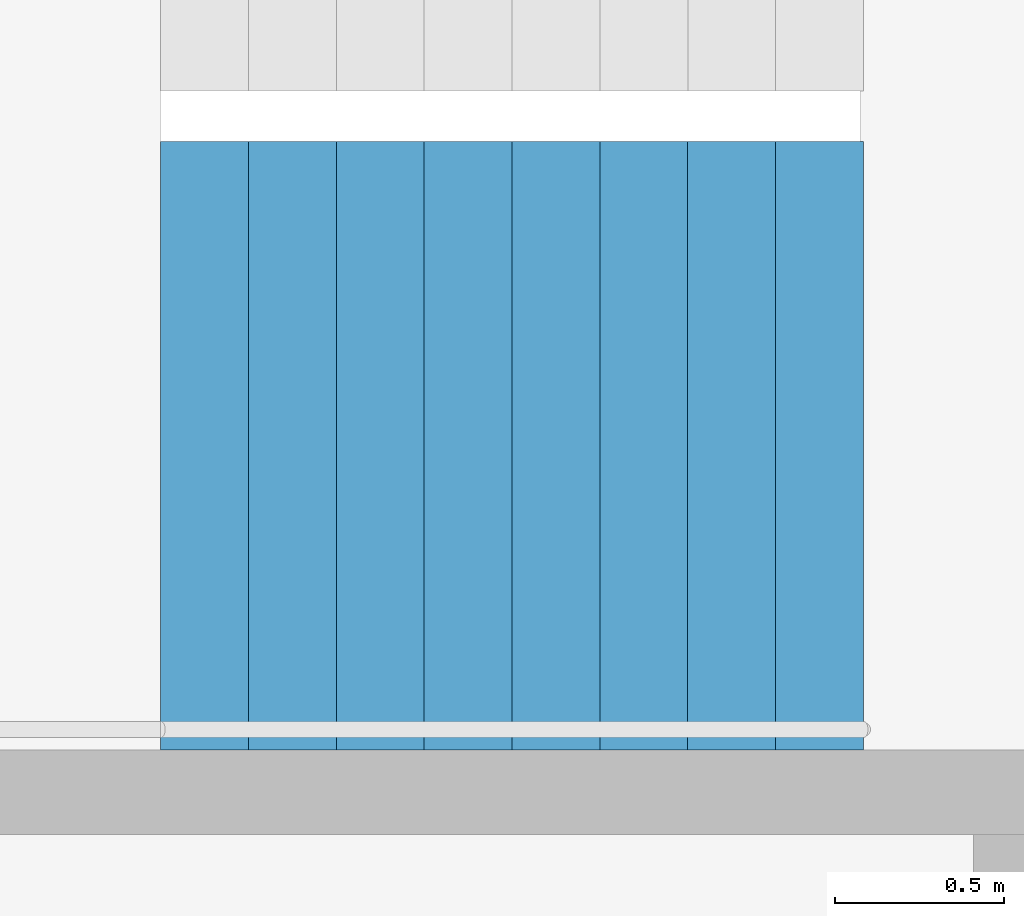
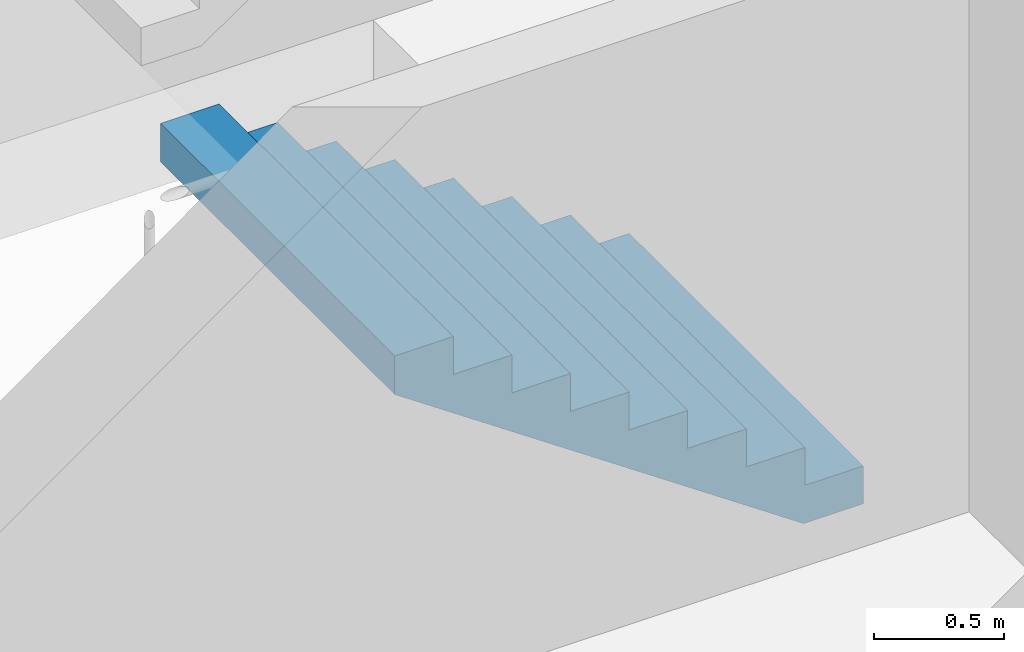
# One storey, part 24 of 26: 1 stair flight, 1 element without a shape of its own.
"""IFC4 building model written with IfcOpenShell, lengths in metres."""

from ifc_helpers import new_model, si_unit, direction, frame, origin, place, context, subcontext, project, spatial, triangles, material, type_object, element, aggregate, save


model = new_model("IFC4")

# Units and contexts
model_context = context("Model", 3, precision=1e-05, world=origin(), true_north=direction((0.0, 1.0)))
body_context = subcontext(model_context, "Body", "Model", "MODEL_VIEW")
ifc_project = project(units=[si_unit("LENGTHUNIT", "METRE"), si_unit("AREAUNIT", "SQUARE_METRE"), si_unit("VOLUMEUNIT", "CUBIC_METRE"), si_unit("PLANEANGLEUNIT", "RADIAN"), si_unit("MASSUNIT", "GRAM", prefix="KILO")], contexts=[model_context])

# Site, building, storey
site_placement = place(None, origin())
site = spatial("IfcSite", under=ifc_project, at=site_placement, CompositionType="ELEMENT")
building_placement = place(site_placement, origin())
building = spatial("IfcBuilding", under=site, at=building_placement, Name="Hakoniwa Tower and Hamabe Station Hall", CompositionType="ELEMENT")
storey_placement = place(building_placement, frame((0.0, 0.0, 215.39990234375)))
storey = spatial("IfcBuildingStorey", under=building, at=storey_placement, Name="L61", CompositionType="ELEMENT", Elevation=215.39990234375)

# Stair, stair flight
ifc_material_1 = material(Name="Concrete C40", Category="concrete")
stair_type = type_object("IfcStairType", Name="ESCAPE STAIR 1800", PredefinedType="HALF_TURN_STAIR", material=ifc_material_1)
stair_placement = place(storey_placement, origin())
stair = element("IfcStair", 1, at=stair_placement, inside=storey, type_object=stair_type, Name="Escape stair ST-3 L61", PredefinedType="HALF_TURN_STAIR")
ifc_material_2 = material(Name="Concrete C40", Category="concrete")
stair_flight_type = type_object("IfcStairFlightType", Name="STAIR FLIGHT 1800", PredefinedType="STRAIGHT", material=ifc_material_2)
stair_flight_placement = place(storey_placement, frame((24.39990234375, 4.64990234375, 0.0), z_axis=(0.0, 0.0, 1.0), x_axis=(-1.0, 0.0, 0.0)))
stair_flight = element("IfcStairFlight", 2, at=stair_flight_placement, type_object=stair_flight_type, Name="ST-3 flight 1", NumberOfRisers=9, NumberOfTreads=8, PredefinedType="STRAIGHT", RiserHeight=0.177777778, TreadLength=0.26, context=body_context, shape_type="Tessellation", body=[
    triangles([(0.0, 0.89990234375, 0.0), (0.260009765625, 0.89990234375, 0.0), (0.265625, 0.89990234375, 0.0), (0.52001953125, 0.89990234375, 0.174072265625), (0.780029296875, 0.89990234375, 0.351806640625), (1.0400390625, 0.89990234375, 0.529541015625), (1.300048828125, 0.89990234375, 0.707275390625), (1.56005859375, 0.89990234375, 0.885009765625), (1.820068359375, 0.89990234375, 1.062744140625), (2.080078125, 0.89990234375, 1.24072265625), (2.080078125, 0.89990234375, 1.422119140625), (1.820068359375, 0.89990234375, 1.422119140625), (1.820068359375, 0.89990234375, 1.244384765625), (1.56005859375, 0.89990234375, 1.244384765625), (1.56005859375, 0.89990234375, 1.066650390625), (1.300048828125, 0.89990234375, 1.066650390625), (1.300048828125, 0.89990234375, 0.888916015625), (1.0400390625, 0.89990234375, 0.888916015625), (1.0400390625, 0.89990234375, 0.711181640625), (0.780029296875, 0.89990234375, 0.711181640625), (0.780029296875, 0.89990234375, 0.533447265625), (0.52001953125, 0.89990234375, 0.533447265625), (0.52001953125, 0.89990234375, 0.35546875), (0.265625, 0.89990234375, 0.35546875), (0.260009765625, 0.89990234375, 0.35546875), (0.260009765625, 0.89990234375, 0.177734375), (0.0, 0.89990234375, 0.177734375), (0.0, 0.06005859375, 0.0), (0.260009765625, 0.06005859375, 0.0), (0.265625, 0.06005859375, 0.0), (0.52001953125, 0.06005859375, 0.174072265625), (0.780029296875, 0.06005859375, 0.351806640625), (1.0400390625, 0.06005859375, 0.529541015625), (1.300048828125, 0.06005859375, 0.707275390625), (1.56005859375, 0.06005859375, 0.885009765625), (1.820068359375, 0.06005859375, 1.062744140625), (2.080078125, 0.06005859375, 1.24072265625), (2.080078125, 0.06005859375, 1.422119140625), (1.820068359375, 0.06005859375, 1.422119140625), (1.820068359375, 0.06005859375, 1.244384765625), (1.56005859375, 0.06005859375, 1.244384765625), (1.56005859375, 0.06005859375, 1.066650390625), (1.300048828125, 0.06005859375, 1.066650390625), (1.300048828125, 0.06005859375, 0.888916015625), (1.0400390625, 0.06005859375, 0.888916015625), (1.0400390625, 0.06005859375, 0.711181640625), (0.780029296875, 0.06005859375, 0.711181640625), (0.780029296875, 0.06005859375, 0.533447265625), (0.52001953125, 0.06005859375, 0.533447265625), (0.52001953125, 0.06005859375, 0.35546875), (0.265625, 0.06005859375, 0.35546875), (0.260009765625, 0.06005859375, 0.35546875), (0.260009765625, 0.06005859375, 0.177734375), (0.0, 0.06005859375, 0.177734375), (0.0, 0.04296875, 0.0), (0.260009765625, 0.04296875, 0.0), (0.265625, 0.04296875, 0.0), (0.52001953125, 0.04296875, 0.174072265625), (0.780029296875, 0.04296875, 0.351806640625), (1.0400390625, 0.04296875, 0.529541015625), (1.300048828125, 0.04296875, 0.707275390625), (1.56005859375, 0.04296875, 0.885009765625), (1.820068359375, 0.04296875, 1.062744140625), (2.080078125, 0.04296875, 1.24072265625), (2.080078125, 0.04296875, 1.422119140625), (1.820068359375, 0.04296875, 1.422119140625), (1.820068359375, 0.04296875, 1.244384765625), (1.56005859375, 0.04296875, 1.244384765625), (1.56005859375, 0.04296875, 1.066650390625), (1.300048828125, 0.04296875, 1.066650390625), (1.300048828125, 0.04296875, 0.888916015625), (1.0400390625, 0.04296875, 0.888916015625), (1.0400390625, 0.04296875, 0.711181640625), (0.780029296875, 0.04296875, 0.711181640625), (0.780029296875, 0.04296875, 0.533447265625), (0.52001953125, 0.04296875, 0.533447265625), (0.52001953125, 0.04296875, 0.35546875), (0.265625, 0.04296875, 0.35546875), (0.260009765625, 0.04296875, 0.35546875), (0.260009765625, 0.04296875, 0.177734375), (0.0, 0.04296875, 0.177734375), (0.0, 0.025634765625, 0.0), (0.260009765625, 0.025634765625, 0.0), (0.265625, 0.025634765625, 0.0), (0.52001953125, 0.025634765625, 0.174072265625), (0.780029296875, 0.025634765625, 0.351806640625), (1.0400390625, 0.025634765625, 0.529541015625), (1.300048828125, 0.025634765625, 0.707275390625), (1.56005859375, 0.025634765625, 0.885009765625), (1.820068359375, 0.025634765625, 1.062744140625), (2.080078125, 0.025634765625, 1.24072265625), (2.080078125, 0.025634765625, 1.422119140625), (1.820068359375, 0.025634765625, 1.422119140625), (1.820068359375, 0.025634765625, 1.244384765625), (1.56005859375, 0.025634765625, 1.244384765625), (1.56005859375, 0.025634765625, 1.066650390625), (1.300048828125, 0.025634765625, 1.066650390625), (1.300048828125, 0.025634765625, 0.888916015625), (1.0400390625, 0.025634765625, 0.888916015625), (1.0400390625, 0.025634765625, 0.711181640625), (0.780029296875, 0.025634765625, 0.711181640625), (0.780029296875, 0.025634765625, 0.533447265625), (0.52001953125, 0.025634765625, 0.533447265625), (0.52001953125, 0.025634765625, 0.35546875), (0.265625, 0.025634765625, 0.35546875), (0.260009765625, 0.025634765625, 0.35546875), (0.260009765625, 0.025634765625, 0.177734375), (0.0, 0.025634765625, 0.177734375), (0.0, 0.008544921875, 0.0), (0.260009765625, 0.008544921875, 0.0), (0.265625, 0.008544921875, 0.0), (0.52001953125, 0.008544921875, 0.174072265625), (0.780029296875, 0.008544921875, 0.351806640625), (1.0400390625, 0.008544921875, 0.529541015625), (1.300048828125, 0.008544921875, 0.707275390625), (1.56005859375, 0.008544921875, 0.885009765625), (1.820068359375, 0.008544921875, 1.062744140625), (2.080078125, 0.008544921875, 1.24072265625), (2.080078125, 0.008544921875, 1.422119140625), (1.820068359375, 0.008544921875, 1.422119140625), (1.820068359375, 0.008544921875, 1.244384765625), (1.56005859375, 0.008544921875, 1.244384765625), (1.56005859375, 0.008544921875, 1.066650390625), (1.300048828125, 0.008544921875, 1.066650390625), (1.300048828125, 0.008544921875, 0.888916015625), (1.0400390625, 0.008544921875, 0.888916015625), (1.0400390625, 0.008544921875, 0.711181640625), (0.780029296875, 0.008544921875, 0.711181640625), (0.780029296875, 0.008544921875, 0.533447265625), (0.52001953125, 0.008544921875, 0.533447265625), (0.52001953125, 0.008544921875, 0.35546875), (0.265625, 0.008544921875, 0.35546875), (0.260009765625, 0.008544921875, 0.35546875), (0.260009765625, 0.008544921875, 0.177734375), (0.0, 0.008544921875, 0.177734375), (0.0, -0.008544921875, 0.0), (0.260009765625, -0.008544921875, 0.0), (0.265625, -0.008544921875, 0.0), (0.52001953125, -0.008544921875, 0.174072265625), (0.780029296875, -0.008544921875, 0.351806640625), (1.0400390625, -0.008544921875, 0.529541015625), (1.300048828125, -0.008544921875, 0.707275390625), (1.56005859375, -0.008544921875, 0.885009765625), (1.820068359375, -0.008544921875, 1.062744140625), (2.080078125, -0.008544921875, 1.24072265625), (2.080078125, -0.008544921875, 1.422119140625), (1.820068359375, -0.008544921875, 1.422119140625), (1.820068359375, -0.008544921875, 1.244384765625), (1.56005859375, -0.008544921875, 1.244384765625), (1.56005859375, -0.008544921875, 1.066650390625), (1.300048828125, -0.008544921875, 1.066650390625), (1.300048828125, -0.008544921875, 0.888916015625), (1.0400390625, -0.008544921875, 0.888916015625), (1.0400390625, -0.008544921875, 0.711181640625), (0.780029296875, -0.008544921875, 0.711181640625), (0.780029296875, -0.008544921875, 0.533447265625), (0.52001953125, -0.008544921875, 0.533447265625), (0.52001953125, -0.008544921875, 0.35546875), (0.265625, -0.008544921875, 0.35546875), (0.260009765625, -0.008544921875, 0.35546875), (0.260009765625, -0.008544921875, 0.177734375), (0.0, -0.008544921875, 0.177734375), (0.0, -0.025634765625, 0.0), (0.260009765625, -0.025634765625, 0.0), (0.265625, -0.025634765625, 0.0), (0.52001953125, -0.025634765625, 0.174072265625), (0.780029296875, -0.025634765625, 0.351806640625), (1.0400390625, -0.025634765625, 0.529541015625), (1.300048828125, -0.025634765625, 0.707275390625), (1.56005859375, -0.025634765625, 0.885009765625), (1.820068359375, -0.025634765625, 1.062744140625), (2.080078125, -0.025634765625, 1.24072265625), (2.080078125, -0.025634765625, 1.422119140625), (1.820068359375, -0.025634765625, 1.422119140625), (1.820068359375, -0.025634765625, 1.244384765625), (1.56005859375, -0.025634765625, 1.244384765625), (1.56005859375, -0.025634765625, 1.066650390625), (1.300048828125, -0.025634765625, 1.066650390625), (1.300048828125, -0.025634765625, 0.888916015625), (1.0400390625, -0.025634765625, 0.888916015625), (1.0400390625, -0.025634765625, 0.711181640625), (0.780029296875, -0.025634765625, 0.711181640625), (0.780029296875, -0.025634765625, 0.533447265625), (0.52001953125, -0.025634765625, 0.533447265625), (0.52001953125, -0.025634765625, 0.35546875), (0.265625, -0.025634765625, 0.35546875), (0.260009765625, -0.025634765625, 0.35546875), (0.260009765625, -0.025634765625, 0.177734375), (0.0, -0.025634765625, 0.177734375), (0.0, -0.04296875, 0.0), (0.260009765625, -0.04296875, 0.0), (0.265625, -0.04296875, 0.0), (0.52001953125, -0.04296875, 0.174072265625), (0.780029296875, -0.04296875, 0.351806640625), (1.0400390625, -0.04296875, 0.529541015625), (1.300048828125, -0.04296875, 0.707275390625), (1.56005859375, -0.04296875, 0.885009765625), (1.820068359375, -0.04296875, 1.062744140625), (2.080078125, -0.04296875, 1.24072265625), (2.080078125, -0.04296875, 1.422119140625), (1.820068359375, -0.04296875, 1.422119140625), (1.820068359375, -0.04296875, 1.244384765625), (1.56005859375, -0.04296875, 1.244384765625), (1.56005859375, -0.04296875, 1.066650390625), (1.300048828125, -0.04296875, 1.066650390625), (1.300048828125, -0.04296875, 0.888916015625), (1.0400390625, -0.04296875, 0.888916015625), (1.0400390625, -0.04296875, 0.711181640625), (0.780029296875, -0.04296875, 0.711181640625), (0.780029296875, -0.04296875, 0.533447265625), (0.52001953125, -0.04296875, 0.533447265625), (0.52001953125, -0.04296875, 0.35546875), (0.265625, -0.04296875, 0.35546875), (0.260009765625, -0.04296875, 0.35546875), (0.260009765625, -0.04296875, 0.177734375), (0.0, -0.04296875, 0.177734375), (0.0, -0.06005859375, 0.0), (0.260009765625, -0.06005859375, 0.0), (0.265625, -0.06005859375, 0.0), (0.52001953125, -0.06005859375, 0.174072265625), (0.780029296875, -0.06005859375, 0.351806640625), (1.0400390625, -0.06005859375, 0.529541015625), (1.300048828125, -0.06005859375, 0.707275390625), (1.56005859375, -0.06005859375, 0.885009765625), (1.820068359375, -0.06005859375, 1.062744140625), (2.080078125, -0.06005859375, 1.24072265625), (2.080078125, -0.06005859375, 1.422119140625), (1.820068359375, -0.06005859375, 1.422119140625), (1.820068359375, -0.06005859375, 1.244384765625), (1.56005859375, -0.06005859375, 1.244384765625), (1.56005859375, -0.06005859375, 1.066650390625), (1.300048828125, -0.06005859375, 1.066650390625), (1.300048828125, -0.06005859375, 0.888916015625), (1.0400390625, -0.06005859375, 0.888916015625), (1.0400390625, -0.06005859375, 0.711181640625), (0.780029296875, -0.06005859375, 0.711181640625), (0.780029296875, -0.06005859375, 0.533447265625), (0.52001953125, -0.06005859375, 0.533447265625), (0.52001953125, -0.06005859375, 0.35546875), (0.265625, -0.06005859375, 0.35546875), (0.260009765625, -0.06005859375, 0.35546875), (0.260009765625, -0.06005859375, 0.177734375), (0.0, -0.06005859375, 0.177734375), (0.0, -0.89990234375, 0.0), (0.260009765625, -0.89990234375, 0.0), (0.265625, -0.89990234375, 0.0), (0.52001953125, -0.89990234375, 0.174072265625), (0.780029296875, -0.89990234375, 0.351806640625), (1.0400390625, -0.89990234375, 0.529541015625), (1.300048828125, -0.89990234375, 0.707275390625), (1.56005859375, -0.89990234375, 0.885009765625), (1.820068359375, -0.89990234375, 1.062744140625), (2.080078125, -0.89990234375, 1.24072265625), (2.080078125, -0.89990234375, 1.422119140625), (1.820068359375, -0.89990234375, 1.422119140625), (1.820068359375, -0.89990234375, 1.244384765625), (1.56005859375, -0.89990234375, 1.244384765625), (1.56005859375, -0.89990234375, 1.066650390625), (1.300048828125, -0.89990234375, 1.066650390625), (1.300048828125, -0.89990234375, 0.888916015625), (1.0400390625, -0.89990234375, 0.888916015625), (1.0400390625, -0.89990234375, 0.711181640625), (0.780029296875, -0.89990234375, 0.711181640625), (0.780029296875, -0.89990234375, 0.533447265625), (0.52001953125, -0.89990234375, 0.533447265625), (0.52001953125, -0.89990234375, 0.35546875), (0.265625, -0.89990234375, 0.35546875), (0.260009765625, -0.89990234375, 0.35546875), (0.260009765625, -0.89990234375, 0.177734375), (0.0, -0.89990234375, 0.177734375)], [[2, 27, 26], [245, 269, 270], [2, 1, 27], [245, 270, 244], [3, 25, 24], [246, 267, 268], [3, 26, 25], [246, 268, 269], [3, 2, 26], [246, 269, 245], [4, 24, 23], [247, 266, 267], [4, 3, 24], [247, 267, 246], [5, 22, 21], [248, 264, 265], [5, 23, 22], [248, 265, 266], [5, 4, 23], [248, 266, 247], [6, 20, 19], [249, 262, 263], [6, 21, 20], [249, 263, 264], [6, 5, 21], [249, 264, 248], [7, 18, 17], [250, 260, 261], [7, 19, 18], [250, 261, 262], [7, 6, 19], [250, 262, 249], [8, 16, 15], [251, 258, 259], [8, 17, 16], [251, 259, 260], [8, 7, 17], [251, 260, 250], [9, 14, 13], [252, 256, 257], [9, 15, 14], [252, 257, 258], [9, 8, 15], [252, 258, 251], [10, 12, 11], [253, 254, 255], [10, 13, 12], [253, 255, 256], [10, 9, 13], [253, 256, 252], [1, 2, 29], [1, 29, 28], [28, 29, 56], [28, 56, 55], [55, 56, 83], [55, 83, 82], [82, 83, 110], [82, 110, 109], [109, 110, 137], [109, 137, 136], [136, 137, 164], [136, 164, 163], [163, 164, 191], [163, 191, 190], [190, 191, 218], [190, 218, 217], [217, 218, 245], [217, 245, 244], [2, 3, 30], [2, 30, 29], [29, 30, 57], [29, 57, 56], [56, 57, 84], [56, 84, 83], [83, 84, 111], [83, 111, 110], [110, 111, 138], [110, 138, 137], [137, 138, 165], [137, 165, 164], [164, 165, 192], [164, 192, 191], [191, 192, 219], [191, 219, 218], [218, 219, 246], [218, 246, 245], [3, 4, 31], [3, 31, 30], [30, 31, 58], [30, 58, 57], [57, 58, 85], [57, 85, 84], [84, 85, 112], [84, 112, 111], [111, 112, 139], [111, 139, 138], [138, 139, 166], [138, 166, 165], [165, 166, 193], [165, 193, 192], [192, 193, 220], [192, 220, 219], [219, 220, 247], [219, 247, 246], [4, 5, 32], [4, 32, 31], [31, 32, 59], [31, 59, 58], [58, 59, 86], [58, 86, 85], [85, 86, 113], [85, 113, 112], [112, 113, 140], [112, 140, 139], [139, 140, 167], [139, 167, 166], [166, 167, 194], [166, 194, 193], [193, 194, 221], [193, 221, 220], [220, 221, 248], [220, 248, 247], [5, 6, 33], [5, 33, 32], [32, 33, 60], [32, 60, 59], [59, 60, 87], [59, 87, 86], [86, 87, 114], [86, 114, 113], [113, 114, 141], [113, 141, 140], [140, 141, 168], [140, 168, 167], [167, 168, 195], [167, 195, 194], [194, 195, 222], [194, 222, 221], [221, 222, 249], [221, 249, 248], [6, 7, 34], [6, 34, 33], [33, 34, 61], [33, 61, 60], [60, 61, 88], [60, 88, 87], [87, 88, 115], [87, 115, 114], [114, 115, 142], [114, 142, 141], [141, 142, 169], [141, 169, 168], [168, 169, 196], [168, 196, 195], [195, 196, 223], [195, 223, 222], [222, 223, 250], [222, 250, 249], [7, 8, 35], [7, 35, 34], [34, 35, 62], [34, 62, 61], [61, 62, 89], [61, 89, 88], [88, 89, 116], [88, 116, 115], [115, 116, 143], [115, 143, 142], [142, 143, 170], [142, 170, 169], [169, 170, 197], [169, 197, 196], [196, 197, 224], [196, 224, 223], [223, 224, 251], [223, 251, 250], [8, 9, 36], [8, 36, 35], [35, 36, 63], [35, 63, 62], [62, 63, 90], [62, 90, 89], [89, 90, 117], [89, 117, 116], [116, 117, 144], [116, 144, 143], [143, 144, 171], [143, 171, 170], [170, 171, 198], [170, 198, 197], [197, 198, 225], [197, 225, 224], [224, 225, 252], [224, 252, 251], [9, 10, 37], [9, 37, 36], [36, 37, 64], [36, 64, 63], [63, 64, 91], [63, 91, 90], [90, 91, 118], [90, 118, 117], [117, 118, 145], [117, 145, 144], [144, 145, 172], [144, 172, 171], [171, 172, 199], [171, 199, 198], [198, 199, 226], [198, 226, 225], [225, 226, 253], [225, 253, 252], [10, 11, 38], [10, 38, 37], [37, 38, 65], [37, 65, 64], [64, 65, 92], [64, 92, 91], [91, 92, 119], [91, 119, 118], [118, 119, 146], [118, 146, 145], [145, 146, 173], [145, 173, 172], [172, 173, 200], [172, 200, 199], [199, 200, 227], [199, 227, 226], [226, 227, 254], [226, 254, 253], [11, 12, 39], [11, 39, 38], [38, 39, 66], [38, 66, 65], [65, 66, 93], [65, 93, 92], [92, 93, 120], [92, 120, 119], [119, 120, 147], [119, 147, 146], [146, 147, 174], [146, 174, 173], [173, 174, 201], [173, 201, 200], [200, 201, 228], [200, 228, 227], [227, 228, 255], [227, 255, 254], [12, 13, 40], [12, 40, 39], [39, 40, 67], [39, 67, 66], [66, 67, 94], [66, 94, 93], [93, 94, 121], [93, 121, 120], [120, 121, 148], [120, 148, 147], [147, 148, 175], [147, 175, 174], [174, 175, 202], [174, 202, 201], [201, 202, 229], [201, 229, 228], [228, 229, 256], [228, 256, 255], [13, 14, 41], [13, 41, 40], [40, 41, 68], [40, 68, 67], [67, 68, 95], [67, 95, 94], [94, 95, 122], [94, 122, 121], [121, 122, 149], [121, 149, 148], [148, 149, 176], [148, 176, 175], [175, 176, 203], [175, 203, 202], [202, 203, 230], [202, 230, 229], [229, 230, 257], [229, 257, 256], [14, 15, 42], [14, 42, 41], [41, 42, 69], [41, 69, 68], [68, 69, 96], [68, 96, 95], [95, 96, 123], [95, 123, 122], [122, 123, 150], [122, 150, 149], [149, 150, 177], [149, 177, 176], [176, 177, 204], [176, 204, 203], [203, 204, 231], [203, 231, 230], [230, 231, 258], [230, 258, 257], [15, 16, 43], [15, 43, 42], [42, 43, 70], [42, 70, 69], [69, 70, 97], [69, 97, 96], [96, 97, 124], [96, 124, 123], [123, 124, 151], [123, 151, 150], [150, 151, 178], [150, 178, 177], [177, 178, 205], [177, 205, 204], [204, 205, 232], [204, 232, 231], [231, 232, 259], [231, 259, 258], [16, 17, 44], [16, 44, 43], [43, 44, 71], [43, 71, 70], [70, 71, 98], [70, 98, 97], [97, 98, 125], [97, 125, 124], [124, 125, 152], [124, 152, 151], [151, 152, 179], [151, 179, 178], [178, 179, 206], [178, 206, 205], [205, 206, 233], [205, 233, 232], [232, 233, 260], [232, 260, 259], [17, 18, 45], [17, 45, 44], [44, 45, 72], [44, 72, 71], [71, 72, 99], [71, 99, 98], [98, 99, 126], [98, 126, 125], [125, 126, 153], [125, 153, 152], [152, 153, 180], [152, 180, 179], [179, 180, 207], [179, 207, 206], [206, 207, 234], [206, 234, 233], [233, 234, 261], [233, 261, 260], [18, 19, 46], [18, 46, 45], [45, 46, 73], [45, 73, 72], [72, 73, 100], [72, 100, 99], [99, 100, 127], [99, 127, 126], [126, 127, 154], [126, 154, 153], [153, 154, 181], [153, 181, 180], [180, 181, 208], [180, 208, 207], [207, 208, 235], [207, 235, 234], [234, 235, 262], [234, 262, 261], [19, 20, 47], [19, 47, 46], [46, 47, 74], [46, 74, 73], [73, 74, 101], [73, 101, 100], [100, 101, 128], [100, 128, 127], [127, 128, 155], [127, 155, 154], [154, 155, 182], [154, 182, 181], [181, 182, 209], [181, 209, 208], [208, 209, 236], [208, 236, 235], [235, 236, 263], [235, 263, 262], [20, 21, 48], [20, 48, 47], [47, 48, 75], [47, 75, 74], [74, 75, 102], [74, 102, 101], [101, 102, 129], [101, 129, 128], [128, 129, 156], [128, 156, 155], [155, 156, 183], [155, 183, 182], [182, 183, 210], [182, 210, 209], [209, 210, 237], [209, 237, 236], [236, 237, 264], [236, 264, 263], [21, 22, 49], [21, 49, 48], [48, 49, 76], [48, 76, 75], [75, 76, 103], [75, 103, 102], [102, 103, 130], [102, 130, 129], [129, 130, 157], [129, 157, 156], [156, 157, 184], [156, 184, 183], [183, 184, 211], [183, 211, 210], [210, 211, 238], [210, 238, 237], [237, 238, 265], [237, 265, 264], [22, 23, 50], [22, 50, 49], [49, 50, 77], [49, 77, 76], [76, 77, 104], [76, 104, 103], [103, 104, 131], [103, 131, 130], [130, 131, 158], [130, 158, 157], [157, 158, 185], [157, 185, 184], [184, 185, 212], [184, 212, 211], [211, 212, 239], [211, 239, 238], [238, 239, 266], [238, 266, 265], [23, 24, 51], [23, 51, 50], [50, 51, 78], [50, 78, 77], [77, 78, 105], [77, 105, 104], [104, 105, 132], [104, 132, 131], [131, 132, 159], [131, 159, 158], [158, 159, 186], [158, 186, 185], [185, 186, 213], [185, 213, 212], [212, 213, 240], [212, 240, 239], [239, 240, 267], [239, 267, 266], [24, 25, 52], [24, 52, 51], [51, 52, 79], [51, 79, 78], [78, 79, 106], [78, 106, 105], [105, 106, 133], [105, 133, 132], [132, 133, 160], [132, 160, 159], [159, 160, 187], [159, 187, 186], [186, 187, 214], [186, 214, 213], [213, 214, 241], [213, 241, 240], [240, 241, 268], [240, 268, 267], [25, 26, 53], [25, 53, 52], [52, 53, 80], [52, 80, 79], [79, 80, 107], [79, 107, 106], [106, 107, 134], [106, 134, 133], [133, 134, 161], [133, 161, 160], [160, 161, 188], [160, 188, 187], [187, 188, 215], [187, 215, 214], [214, 215, 242], [214, 242, 241], [241, 242, 269], [241, 269, 268], [26, 27, 54], [26, 54, 53], [53, 54, 81], [53, 81, 80], [80, 81, 108], [80, 108, 107], [107, 108, 135], [107, 135, 134], [134, 135, 162], [134, 162, 161], [161, 162, 189], [161, 189, 188], [188, 189, 216], [188, 216, 215], [215, 216, 243], [215, 243, 242], [242, 243, 270], [242, 270, 269], [27, 1, 28], [27, 28, 54], [54, 28, 55], [54, 55, 81], [81, 55, 82], [81, 82, 108], [108, 82, 109], [108, 109, 135], [135, 109, 136], [135, 136, 162], [162, 136, 163], [162, 163, 189], [189, 163, 190], [189, 190, 216], [216, 190, 217], [216, 217, 243], [243, 217, 244], [243, 244, 270]], closed=True),
])
aggregate(stair, [stair_flight])

save(model, "model.ifc")
